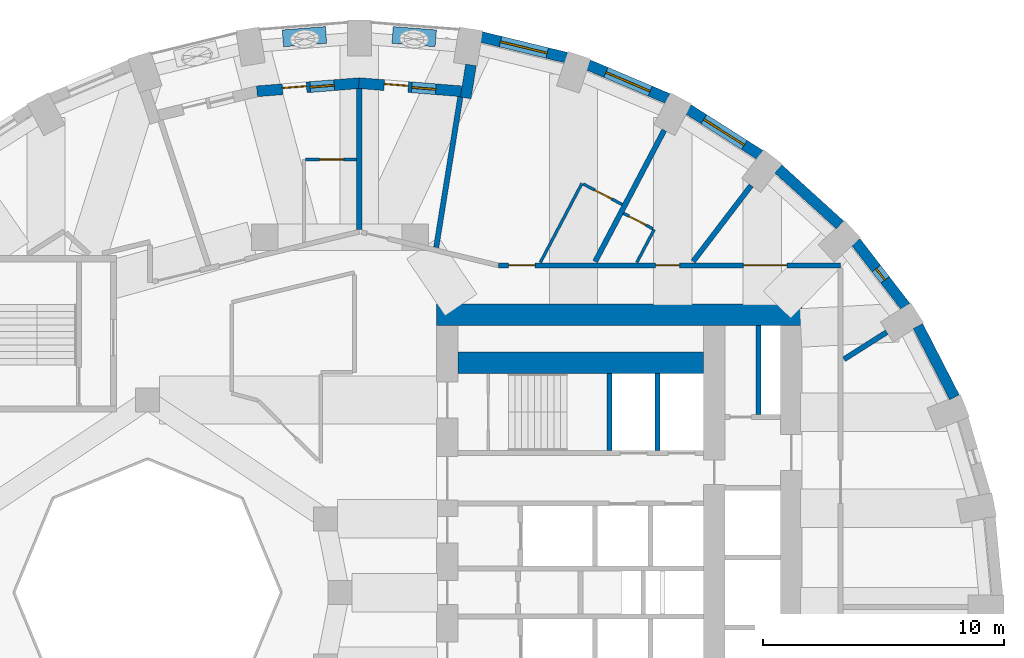
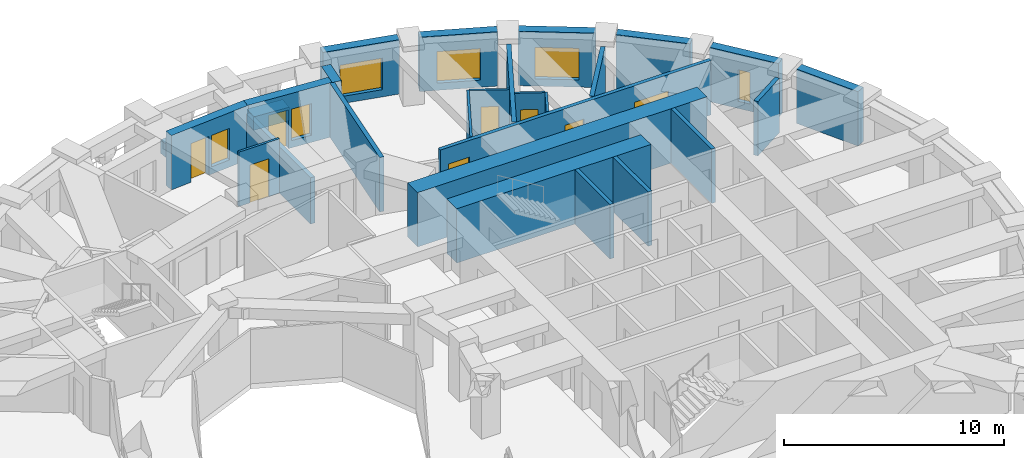
# One storey, part 8 of 12: 27 walls, 8 doors, 6 windows, 14 openings.
"""IFC4 building model written with IfcOpenShell, lengths in metres."""

from ifc_helpers import new_model, si_unit, direction, frame, frame_2d, origin, place, context, subcontext, project, spatial, rectangle, extrude, material, layer, layer_set, constituent, constituent_set, type_object, element, fill, save


model = new_model("IFC4")

# Units and contexts
model_context = context("Model", 3, precision=1e-05, world=origin(), true_north=direction((0.0, 1.0)))
body_context = subcontext(model_context, "Body", "Model", "MODEL_VIEW")
ifc_project = project(units=[si_unit("LENGTHUNIT", "METRE"), si_unit("AREAUNIT", "SQUARE_METRE"), si_unit("VOLUMEUNIT", "CUBIC_METRE"), si_unit("PLANEANGLEUNIT", "RADIAN"), si_unit("MASSUNIT", "GRAM", prefix="KILO")], contexts=[model_context])

# Site, building, storey
site_placement = place(None, origin())
site = spatial("IfcSite", under=ifc_project, at=site_placement, CompositionType="ELEMENT")
building_placement = place(site_placement, origin())
building = spatial("IfcBuilding", under=site, at=building_placement, Name="Taillehof Tower", CompositionType="ELEMENT")
storey_placement = place(building_placement, frame((0.0, 0.0, 88.89990234375)))
storey = spatial("IfcBuildingStorey", under=building, at=storey_placement, Name="L24", CompositionType="ELEMENT", Elevation=88.89990234375)

# Wall
ifc_material_1 = material(Name="Brick masonry", Category="masonry")
ifc_layer_1 = layer(ifc_material_1, 0.449951171875)
ifc_layer_set_1 = layer_set([ifc_layer_1], Name="Brick infill wall 450")
wall_type_1 = type_object("IfcWallType", Name="Brick infill wall 450", PredefinedType="SOLIDWALL", material=ifc_layer_set_1)
wall_1_placement = place(storey_placement, frame((25.545166015625, 8.1123046875, 0.0), z_axis=(0.0, 0.0, 1.0), x_axis=(-0.456828186229, 0.889554949549, 0.0)))
element("IfcWall", 1, at=wall_1_placement, inside=storey, type_object=wall_type_1, Name="Brick wall L24 bay 3", PredefinedType="SOLIDWALL", context=body_context, shape_type="SweptSolid", body=[
    extrude(rectangle(XDim=3.332763671875, YDim=0.449951171875, at=frame_2d((1.66650390625, 0.0))), origin(), (0.0, 0.0, 1.0), 3.02001953125),
])

# Wall, opening, window
wall_2_placement = place(storey_placement, frame((23.508056640625, 11.887451171875, 0.0), z_axis=(0.0, 0.0, 1.0), x_axis=(-0.610693945156, 0.791866721961, 0.0)))
wall_2 = element("IfcWall", 2, at=wall_2_placement, inside=storey, type_object=wall_type_1, Name="Brick wall L24 bay 4", PredefinedType="SOLIDWALL", context=body_context, shape_type="SweptSolid", body=[
    extrude(rectangle(XDim=3.39453125, YDim=0.449951171875, at=frame_2d((1.697265625, 0.0))), origin(), (0.0, 0.0, 1.0), 3.02001953125),
])
opening_1_placement = place(wall_2_placement, frame((1.397216796875, 0.0, 0.39990234375)))
opening_1 = element("IfcOpeningElement", 3, at=opening_1_placement, cuts=wall_2, Name="Opening W6", PredefinedType="OPENING", context=body_context, shape_type="SweptSolid", body=[
    extrude(rectangle(XDim=0.60009765625, YDim=1.75, at=frame_2d((0.300048828125, 0.875))), frame((0.0, 0.23486328125, 0.0), z_axis=(0.0, -1.0, 0.0), x_axis=(1.0, 0.0, 0.0)), (0.0, 0.0, 1.0), 0.469970703125),
])
ifc_material_2 = material(Name="Aluminium window frame with clear double glazing", Category="aluminium")
window_type_1 = type_object("IfcWindowType", Name="Slot window 600x1750", PartitioningType="SINGLE_PANEL", PredefinedType="WINDOW", material=ifc_material_2)
window_1_placement = place(opening_1_placement, origin())
window_1 = element("IfcWindow", 4, at=window_1_placement, inside=storey, type_object=window_type_1, Name="W6", OverallHeight=1.75, OverallWidth=0.60009765625, PartitioningType="SINGLE_PANEL", PredefinedType="WINDOW", context=body_context, shape_type="SweptSolid", body=[
    extrude(rectangle(XDim=0.60009765625, YDim=1.75, at=frame_2d((0.300048828125, 0.875))), frame((0.0, 0.034912109375, 0.0), z_axis=(0.0, -1.0, 0.0), x_axis=(1.0, 0.0, 0.0)), (0.0, 0.0, 1.0), 0.06005859375),
])
fill(opening_1, window_1)

# Wall
wall_3_placement = place(storey_placement, frame((20.783935546875, 15.281005859375, 0.0), z_axis=(0.0, 0.0, 1.0), x_axis=(-0.74032902847, 0.672244694739, 0.0)))
element("IfcWall", 5, at=wall_3_placement, inside=storey, type_object=wall_type_1, Name="Brick wall L24 bay 5", PredefinedType="SOLIDWALL", context=body_context, shape_type="SweptSolid", body=[
    extrude(rectangle(XDim=3.4638671875, YDim=0.449951171875, at=frame_2d((1.73193359375, 0.0))), origin(), (0.0, 0.0, 1.0), 3.02001953125),
])

# Wall, opening, window
wall_4_placement = place(storey_placement, frame((17.456298828125, 18.19189453125, 0.0), z_axis=(0.0, 0.0, 1.0), x_axis=(-0.843880549131, 0.536531097699, 0.0)))
wall_4 = element("IfcWall", 6, at=wall_4_placement, inside=storey, type_object=wall_type_1, Name="Brick wall L24 bay 6", PredefinedType="SOLIDWALL", context=body_context, shape_type="SweptSolid", body=[
    extrude(rectangle(XDim=3.532470703125, YDim=0.449951171875, at=frame_2d((1.76611328125, 0.0))), origin(), (0.0, 0.0, 1.0), 3.02001953125),
])
opening_2_placement = place(wall_4_placement, frame((0.76611328125, 0.0, 0.39990234375)))
opening_2 = element("IfcOpeningElement", 7, at=opening_2_placement, cuts=wall_4, Name="Opening W2", PredefinedType="OPENING", context=body_context, shape_type="SweptSolid", body=[
    extrude(rectangle(XDim=2.0, YDim=1.75, at=frame_2d((1.0, 0.875))), frame((0.0, 0.23486328125, 0.0), z_axis=(0.0, -1.0, 0.0), x_axis=(1.0, 0.0, 0.0)), (0.0, 0.0, 1.0), 0.469970703125),
])
ifc_material_3 = material(Name="Aluminium window frame with clear double glazing", Category="aluminium")
window_type_2 = type_object("IfcWindowType", Name="Deep-set window 2000x1750", PartitioningType="SINGLE_PANEL", PredefinedType="WINDOW", material=ifc_material_3)
window_2_placement = place(opening_2_placement, origin())
window_2 = element("IfcWindow", 8, at=window_2_placement, inside=storey, type_object=window_type_2, Name="W2", OverallHeight=1.75, OverallWidth=2.0, PartitioningType="SINGLE_PANEL", PredefinedType="WINDOW", context=body_context, shape_type="SweptSolid", body=[
    extrude(rectangle(XDim=2.0, YDim=1.75, at=frame_2d((1.0, 0.875))), frame((0.0, 0.034912109375, 0.0), z_axis=(0.0, -1.0, 0.0), x_axis=(1.0, 0.0, 0.0)), (0.0, 0.0, 1.0), 0.06005859375),
])
fill(opening_2, window_2)

wall_5_placement = place(storey_placement, frame((13.625244140625, 20.533447265625, 0.0), z_axis=(0.0, 0.0, 1.0), x_axis=(-0.920869643542, 0.389870619055, 0.0)))
wall_5 = element("IfcWall", 9, at=wall_5_placement, inside=storey, type_object=wall_type_1, Name="Brick wall L24 bay 7", PredefinedType="SOLIDWALL", context=body_context, shape_type="SweptSolid", body=[
    extrude(rectangle(XDim=3.59130859375, YDim=0.449951171875, at=frame_2d((1.795654296875, 0.0))), origin(), (0.0, 0.0, 1.0), 3.02001953125),
])
opening_3_placement = place(wall_5_placement, frame((0.795654296875, 0.0, 0.39990234375)))
opening_3 = element("IfcOpeningElement", 10, at=opening_3_placement, cuts=wall_5, Name="Opening W2", PredefinedType="OPENING", context=body_context, shape_type="SweptSolid", body=[
    extrude(rectangle(XDim=2.0, YDim=1.75, at=frame_2d((1.0, 0.875))), frame((0.0, 0.23486328125, 0.0), z_axis=(0.0, -1.0, 0.0), x_axis=(1.0, 0.0, 0.0)), (0.0, 0.0, 1.0), 0.469970703125),
])
window_3_placement = place(opening_3_placement, origin())
window_3 = element("IfcWindow", 11, at=window_3_placement, inside=storey, type_object=window_type_2, Name="W2", OverallHeight=1.75, OverallWidth=2.0, PartitioningType="SINGLE_PANEL", PredefinedType="WINDOW", context=body_context, shape_type="SweptSolid", body=[
    extrude(rectangle(XDim=2.0, YDim=1.75, at=frame_2d((1.0, 0.875))), frame((0.0, 0.034912109375, 0.0), z_axis=(0.0, -1.0, 0.0), x_axis=(1.0, 0.0, 0.0)), (0.0, 0.0, 1.0), 0.06005859375),
])
fill(opening_3, window_3)

wall_6_placement = place(storey_placement, frame((9.406494140625, 22.2353515625, 0.0), z_axis=(0.0, 0.0, 1.0), x_axis=(-0.971667603162, 0.236351579148, 0.0)))
wall_6 = element("IfcWall", 12, at=wall_6_placement, inside=storey, type_object=wall_type_1, Name="Brick wall L24 bay 8", PredefinedType="SOLIDWALL", context=body_context, shape_type="SweptSolid", body=[
    extrude(rectangle(XDim=3.635009765625, YDim=0.449951171875, at=frame_2d((1.8173828125, 0.0))), origin(), (0.0, 0.0, 1.0), 3.02001953125),
])
opening_4_placement = place(wall_6_placement, frame((0.8173828125, 0.0, 0.39990234375)))
opening_4 = element("IfcOpeningElement", 13, at=opening_4_placement, cuts=wall_6, Name="Opening W2", PredefinedType="OPENING", context=body_context, shape_type="SweptSolid", body=[
    extrude(rectangle(XDim=2.0, YDim=1.75, at=frame_2d((1.0, 0.875))), frame((0.0, 0.23486328125, 0.0), z_axis=(0.0, -1.0, 0.0), x_axis=(1.0, 0.0, 0.0)), (0.0, 0.0, 1.0), 0.469970703125),
])
window_4_placement = place(opening_4_placement, origin())
window_4 = element("IfcWindow", 14, at=window_4_placement, inside=storey, type_object=window_type_2, Name="W2", OverallHeight=1.75, OverallWidth=2.0, PartitioningType="SINGLE_PANEL", PredefinedType="WINDOW", context=body_context, shape_type="SweptSolid", body=[
    extrude(rectangle(XDim=2.0, YDim=1.75, at=frame_2d((1.0, 0.875))), frame((0.0, 0.034912109375, 0.0), z_axis=(0.0, -1.0, 0.0), x_axis=(1.0, 0.0, 0.0)), (0.0, 0.0, 1.0), 0.06005859375),
])
fill(opening_4, window_4)

# Wall
wall_7_placement = place(storey_placement, frame((5.44140625, 21.932373046875, 0.0), z_axis=(0.0, 0.0, 1.0), x_axis=(-0.158586380547, -0.987345106792, 0.0)))
element("IfcWall", 15, at=wall_7_placement, inside=storey, type_object=wall_type_1, Name="Brick reveal L24 pocket 2", PredefinedType="SOLIDWALL", context=body_context, shape_type="SweptSolid", body=[
    extrude(rectangle(XDim=1.39013671875, YDim=0.449951171875, at=frame_2d((0.695068359375, 0.0))), origin(), (0.0, 0.0, 1.0), 3.02001953125),
])

# Wall, openings, door, window
wall_8_placement = place(storey_placement, frame((5.03759765625, 20.836669921875, 0.0), z_axis=(0.0, 0.0, 1.0), x_axis=(-0.996839780714, 0.079438350855, 0.0)))
wall_8 = element("IfcWall", 16, at=wall_8_placement, inside=storey, type_object=wall_type_1, Name="Brick wall L24 pocket bay 9", PredefinedType="SOLIDWALL", context=body_context, shape_type="SweptSolid", body=[
    extrude(rectangle(XDim=4.268798828125, YDim=0.449951171875, at=frame_2d((2.13427734375, 0.0))), origin(), (0.0, 0.0, 1.0), 3.02001953125),
])
opening_5_placement = place(wall_8_placement, frame((1.0595703125, 0.0, 0.39990234375)))
opening_5 = element("IfcOpeningElement", 17, at=opening_5_placement, cuts=wall_8, Name="Opening W5", PredefinedType="OPENING", context=body_context, shape_type="SweptSolid", body=[
    extrude(rectangle(XDim=1.0, YDim=1.75, at=frame_2d((0.5, 0.875))), frame((0.0, 0.23486328125, 0.0), z_axis=(0.0, -1.0, 0.0), x_axis=(1.0, 0.0, 0.0)), (0.0, 0.0, 1.0), 0.469970703125),
])
opening_6_placement = place(wall_8_placement, frame((2.20947265625, 0.0, 0.0)))
opening_6 = element("IfcOpeningElement", 18, at=opening_6_placement, cuts=wall_8, Name="Opening D2494", PredefinedType="OPENING", context=body_context, shape_type="SweptSolid", body=[
    extrude(rectangle(XDim=1.0, YDim=2.14990234375, at=frame_2d((0.5, 1.074951171875))), frame((0.0, 0.23486328125, 0.0), z_axis=(0.0, -1.0, 0.0), x_axis=(1.0, 0.0, 0.0)), (0.0, 0.0, 1.0), 0.469970703125),
])
ifc_material_4 = material(Name="Aluminium door frame with clear double glazing", Category="aluminium")
door_type_1 = type_object("IfcDoorType", Name="Balcony door 1000x2150", OperationType="SINGLE_SWING_RIGHT", PredefinedType="DOOR", material=ifc_material_4)
door_1_placement = place(opening_6_placement, frame((1.0, 0.0, 0.0), z_axis=(0.0, 0.0, 1.0), x_axis=(-1.0, 0.0, 0.0)))
door_1 = element("IfcDoor", 19, at=door_1_placement, inside=storey, type_object=door_type_1, Name="Balcony door L24 bay 9", OperationType="SINGLE_SWING_RIGHT", OverallHeight=2.14990234375, OverallWidth=1.0, PredefinedType="DOOR", context=body_context, shape_type="SweptSolid", body=[
    extrude(rectangle(XDim=1.0, YDim=2.14990234375, at=frame_2d((0.5, 1.074951171875))), frame((0.0, 0.0751953125, 0.0), z_axis=(0.0, -1.0, 0.0), x_axis=(1.0, 0.0, 0.0)), (0.0, 0.0, 1.0), 0.050048828125),
])
fill(opening_6, door_1)
ifc_material_5 = material(Name="Aluminium window frame with clear double glazing", Category="aluminium")
window_type_3 = type_object("IfcWindowType", Name="Fixed window 1000x1750", PartitioningType="SINGLE_PANEL", PredefinedType="WINDOW", material=ifc_material_5)
window_5_placement = place(opening_5_placement, origin())
window_5 = element("IfcWindow", 20, at=window_5_placement, inside=storey, type_object=window_type_3, Name="W5", OverallHeight=1.75, OverallWidth=1.0, PartitioningType="SINGLE_PANEL", PredefinedType="WINDOW", context=body_context, shape_type="SweptSolid", body=[
    extrude(rectangle(XDim=1.0, YDim=1.75, at=frame_2d((0.5, 0.875))), frame((0.0, 0.034912109375, 0.0), z_axis=(0.0, -1.0, 0.0), x_axis=(1.0, 0.0, 0.0)), (0.0, 0.0, 1.0), 0.06005859375),
])
fill(opening_5, window_5)

wall_9_placement = place(storey_placement, frame((0.81787109375, 21.17578125, 0.0), z_axis=(0.0, 0.0, 1.0), x_axis=(-0.996843824935, -0.079387585235, 0.0)))
wall_9 = element("IfcWall", 21, at=wall_9_placement, inside=storey, type_object=wall_type_1, Name="Brick wall L24 pocket bay 10", PredefinedType="SOLIDWALL", context=body_context, shape_type="SweptSolid", body=[
    extrude(rectangle(XDim=4.286865234375, YDim=0.449951171875, at=frame_2d((2.1435546875, 0.0))), origin(), (0.0, 0.0, 1.0), 3.02001953125),
])
opening_7_placement = place(wall_9_placement, frame((1.068359375, 0.0, 0.39990234375)))
opening_7 = element("IfcOpeningElement", 22, at=opening_7_placement, cuts=wall_9, Name="Opening W5", PredefinedType="OPENING", context=body_context, shape_type="SweptSolid", body=[
    extrude(rectangle(XDim=1.0, YDim=1.75, at=frame_2d((0.5, 0.875))), frame((0.0, 0.23486328125, 0.0), z_axis=(0.0, -1.0, 0.0), x_axis=(1.0, 0.0, 0.0)), (0.0, 0.0, 1.0), 0.469970703125),
])
opening_8_placement = place(wall_9_placement, frame((2.218505859375, 0.0, 0.0)))
opening_8 = element("IfcOpeningElement", 23, at=opening_8_placement, cuts=wall_9, Name="Opening D2495", PredefinedType="OPENING", context=body_context, shape_type="SweptSolid", body=[
    extrude(rectangle(XDim=1.0, YDim=2.14990234375, at=frame_2d((0.5, 1.074951171875))), frame((0.0, 0.23486328125, 0.0), z_axis=(0.0, -1.0, 0.0), x_axis=(1.0, 0.0, 0.0)), (0.0, 0.0, 1.0), 0.469970703125),
])
door_2_placement = place(opening_8_placement, frame((1.0, 0.0, 0.0), z_axis=(0.0, 0.0, 1.0), x_axis=(-1.0, 0.0, 0.0)))
door_2 = element("IfcDoor", 24, at=door_2_placement, inside=storey, type_object=door_type_1, Name="Balcony door L24 bay 10", OperationType="SINGLE_SWING_LEFT", OverallHeight=2.14990234375, OverallWidth=1.0, PredefinedType="DOOR", context=body_context, shape_type="SweptSolid", body=[
    extrude(rectangle(XDim=1.0, YDim=2.14990234375, at=frame_2d((0.5, 1.074951171875))), frame((0.0, 0.0751953125, 0.0), z_axis=(0.0, -1.0, 0.0), x_axis=(1.0, 0.0, 0.0)), (0.0, 0.0, 1.0), 0.050048828125),
])
fill(opening_8, door_2)
window_6_placement = place(opening_7_placement, origin())
window_6 = element("IfcWindow", 25, at=window_6_placement, inside=storey, type_object=window_type_3, Name="W5", OverallHeight=1.75, OverallWidth=1.0, PartitioningType="SINGLE_PANEL", PredefinedType="WINDOW", context=body_context, shape_type="SweptSolid", body=[
    extrude(rectangle(XDim=1.0, YDim=1.75, at=frame_2d((0.5, 0.875))), frame((0.0, 0.034912109375, 0.0), z_axis=(0.0, -1.0, 0.0), x_axis=(1.0, 0.0, 0.0)), (0.0, 0.0, 1.0), 0.06005859375),
])
fill(opening_7, window_6)

# Wall
ifc_material_6 = material(Name="Calcium silicate masonry", Category="masonry")
ifc_layer_2 = layer(ifc_material_6, 0.199951171875)
ifc_layer_set_2 = layer_set([ifc_layer_2], Name="Compartment wall calcium silicate 200")
wall_type_2 = type_object("IfcWallType", Name="Compartment wall calcium silicate 200", PredefinedType="PARTITIONING", material=ifc_layer_set_2)
wall_10_placement = place(storey_placement, frame((17.39990234375, 7.39990234375, 0.0), z_axis=(0.0, 0.0, 1.0), x_axis=(0.0, 1.0, 0.0)))
element("IfcWall", 26, at=wall_10_placement, inside=storey, type_object=wall_type_2, Name="Compartment wall FW", PredefinedType="PARTITIONING", context=body_context, shape_type="SweptSolid", body=[
    extrude(rectangle(XDim=3.7001953125, YDim=0.199951171875, at=frame_2d((1.85009765625, 0.0))), origin(), (0.0, 0.0, 1.0), 3.02001953125),
])

# Wall, openings, doors
ifc_material_7 = material(Name="Gypsum board on steel studs, two layers each side", Category="steel")
ifc_layer_3 = layer(ifc_material_7, 0.199951171875)
ifc_layer_set_3 = layer_set([ifc_layer_3], Name="Compartment wall corridor 200")
wall_type_3 = type_object("IfcWallType", Name="Compartment wall corridor 200", PredefinedType="PARTITIONING", material=ifc_layer_set_3)
wall_11_placement = place(storey_placement, frame((6.588623046875, 13.60009765625, 0.0), z_axis=(0.0, 0.0, 1.0), x_axis=(1.0, 0.0, 0.0)))
wall_11 = element("IfcWall", 27, at=wall_11_placement, inside=storey, type_object=wall_type_3, Name="Compartment wall", PredefinedType="PARTITIONING", context=body_context, shape_type="SweptSolid", body=[
    extrude(rectangle(XDim=14.21142578125, YDim=0.199951171875, at=frame_2d((7.105712890625, 0.0))), origin(), (0.0, 0.0, 1.0), 3.02001953125),
])
opening_9_placement = place(wall_11_placement, frame((6.526611328125, 0.0, 0.0)))
opening_9 = element("IfcOpeningElement", 28, at=opening_9_placement, cuts=wall_11, Name="Opening D2440", PredefinedType="OPENING", context=body_context, shape_type="SweptSolid", body=[
    extrude(rectangle(XDim=1.0, YDim=2.10009765625, at=frame_2d((0.5, 1.050048828125))), frame((0.0, 0.10986328125, 0.0), z_axis=(0.0, -1.0, 0.0), x_axis=(1.0, 0.0, 0.0)), (0.0, 0.0, 1.0), 0.219970703125),
])
opening_10_placement = place(wall_11_placement, frame((0.4228515625, 0.0, 0.0)))
opening_10 = element("IfcOpeningElement", 29, at=opening_10_placement, cuts=wall_11, Name="Opening D2442", PredefinedType="OPENING", context=body_context, shape_type="SweptSolid", body=[
    extrude(rectangle(XDim=1.10009765625, YDim=2.10009765625, at=frame_2d((0.550048828125, 1.050048828125))), frame((0.0, 0.10986328125, 0.0), z_axis=(0.0, -1.0, 0.0), x_axis=(1.0, 0.0, 0.0)), (0.0, 0.0, 1.0), 0.219970703125),
])
opening_11_placement = place(wall_11_placement, frame((10.18115234375, 0.0, 0.0)))
opening_11 = element("IfcOpeningElement", 30, at=opening_11_placement, cuts=wall_11, Name="Opening D2464", PredefinedType="OPENING", context=body_context, shape_type="SweptSolid", body=[
    extrude(rectangle(XDim=1.800048828125, YDim=2.10009765625, at=frame_2d((0.89990234375, 1.050048828125))), frame((0.0, 0.10986328125, 0.0), z_axis=(0.0, -1.0, 0.0), x_axis=(1.0, 0.0, 0.0)), (0.0, 0.0, 1.0), 0.219970703125),
])
ifc_material_8 = material(Name="Timber door leaf in steel frame", Category="steel")
door_type_2 = type_object("IfcDoorType", Name="Guest room door EI 30 1000 x 2100", OperationType="SINGLE_SWING_LEFT", PredefinedType="DOOR", material=ifc_material_8)
door_3_placement = place(opening_9_placement, origin())
door_3 = element("IfcDoor", 31, at=door_3_placement, inside=storey, type_object=door_type_2, Name="D2440", OperationType="SINGLE_SWING_RIGHT", OverallHeight=2.10009765625, OverallWidth=1.0, PredefinedType="DOOR", context=body_context, shape_type="SweptSolid", body=[
    extrude(rectangle(XDim=1.0, YDim=2.10009765625, at=frame_2d((0.5, 1.050048828125))), frame((0.0, 0.02490234375, 0.0), z_axis=(0.0, -1.0, 0.0), x_axis=(1.0, 0.0, 0.0)), (0.0, 0.0, 1.0), 0.050048828125),
])
fill(opening_9, door_3)
ifc_material_9 = material(Name="Timber door leaf in steel frame", Category="steel")
door_type_3 = type_object("IfcDoorType", Name="Lounge and meeting room double door EI 30 1800 x 2100", OperationType="SINGLE_SWING_LEFT", PredefinedType="DOOR", material=ifc_material_9)
door_4_placement = place(opening_11_placement, origin())
door_4 = element("IfcDoor", 32, at=door_4_placement, inside=storey, type_object=door_type_3, Name="D2464", OperationType="DOUBLE_DOOR_SINGLE_SWING", OverallHeight=2.10009765625, OverallWidth=1.800048828125, PredefinedType="DOOR", context=body_context, shape_type="SweptSolid", body=[
    extrude(rectangle(XDim=1.800048828125, YDim=2.10009765625, at=frame_2d((0.89990234375, 1.050048828125))), frame((0.0, 0.02490234375, 0.0), z_axis=(0.0, -1.0, 0.0), x_axis=(1.0, 0.0, 0.0)), (0.0, 0.0, 1.0), 0.050048828125),
])
fill(opening_11, door_4)
ifc_material_10 = material(Name="Timber door leaf in steel frame", Category="steel")
door_type_4 = type_object("IfcDoorType", Name="Suite entrance door EI 30 1100 x 2100", OperationType="SINGLE_SWING_LEFT", PredefinedType="DOOR", material=ifc_material_10)
door_5_placement = place(opening_10_placement, origin())
door_5 = element("IfcDoor", 33, at=door_5_placement, inside=storey, type_object=door_type_4, Name="D2442", OperationType="SINGLE_SWING_RIGHT", OverallHeight=2.10009765625, OverallWidth=1.10009765625, PredefinedType="DOOR", context=body_context, shape_type="SweptSolid", body=[
    extrude(rectangle(XDim=1.10009765625, YDim=2.10009765625, at=frame_2d((0.550048828125, 1.050048828125))), frame((0.0, 0.02490234375, 0.0), z_axis=(0.0, -1.0, 0.0), x_axis=(1.0, 0.0, 0.0)), (0.0, 0.0, 1.0), 0.050048828125),
])
fill(opening_10, door_5)

# Walls
ifc_material_11 = material(Name="Gypsum board on double steel studs with mineral wool", Category="steel")
ifc_layer_4 = layer(ifc_material_11, 0.219970703125)
ifc_layer_set_4 = layer_set([ifc_layer_4], Name="Compartment wall guest room 220")
wall_type_4 = type_object("IfcWallType", Name="Compartment wall guest room 220", PredefinedType="PARTITIONING", material=ifc_layer_set_4)
wall_12_placement = place(storey_placement, frame((22.7265625, 10.8232421875, 0.0), z_axis=(0.0, 0.0, 1.0), x_axis=(-0.844549560094, -0.53547739499, 0.0)))
element("IfcWall", 34, at=wall_12_placement, inside=storey, type_object=wall_type_4, Name="Compartment wall", PredefinedType="PARTITIONING", context=body_context, shape_type="SweptSolid", body=[
    extrude(rectangle(XDim=2.102783203125, YDim=0.219970703125, at=frame_2d((1.05126953125, 0.0))), origin(), (0.0, 0.0, 1.0), 3.02001953125),
])
wall_13_placement = place(storey_placement, frame((17.08935546875, 16.9208984375, 0.0), z_axis=(0.0, 0.0, 1.0), x_axis=(-0.607055443677, -0.794659479464, 0.0)))
element("IfcWall", 35, at=wall_13_placement, inside=storey, type_object=wall_type_4, Name="Compartment wall", PredefinedType="PARTITIONING", context=body_context, shape_type="SweptSolid", body=[
    extrude(rectangle(XDim=3.97314453125, YDim=0.219970703125, at=frame_2d((1.986572265625, 0.0))), origin(), (0.0, 0.0, 1.0), 3.02001953125),
])
wall_14_placement = place(storey_placement, frame((13.47607421875, 19.217529296875, 0.0), z_axis=(0.0, 0.0, 1.0), x_axis=(-0.465345394262, -0.885129179295, 0.0)))
element("IfcWall", 36, at=wall_14_placement, inside=storey, type_object=wall_type_4, Name="Compartment wall", PredefinedType="PARTITIONING", context=body_context, shape_type="SweptSolid", body=[
    extrude(rectangle(XDim=6.1728515625, YDim=0.219970703125, at=frame_2d((3.08642578125, 0.0))), origin(), (0.0, 0.0, 1.0), 3.02001953125),
])
wall_15_placement = place(storey_placement, frame((5.001708984375, 20.614013671875, 0.0), z_axis=(0.0, 0.0, 1.0), x_axis=(-0.158494605855, -0.987359843175, 0.0)))
element("IfcWall", 37, at=wall_15_placement, inside=storey, type_object=wall_type_4, Name="Compartment wall", PredefinedType="PARTITIONING", context=body_context, shape_type="SweptSolid", body=[
    extrude(rectangle(XDim=6.346435546875, YDim=0.219970703125, at=frame_2d((3.17333984375, 0.0))), origin(), (0.0, 0.0, 1.0), 3.02001953125),
])
wall_16_placement = place(storey_placement, frame((0.800048828125, 20.948486328125, 0.0), z_axis=(0.0, 0.0, 1.0), x_axis=(0.0, -1.0, 0.0)))
element("IfcWall", 38, at=wall_16_placement, inside=storey, type_object=wall_type_4, Name="Compartment wall", PredefinedType="PARTITIONING", context=body_context, shape_type="SweptSolid", body=[
    extrude(rectangle(XDim=5.848388671875, YDim=0.219970703125, at=frame_2d((2.92431640625, 0.0))), origin(), (0.0, 0.0, 1.0), 2.570068359375),
])
ifc_material_12 = material(Name="Concrete C80/95", Category="concrete")
ifc_layer_5 = layer(ifc_material_12, 0.89990234375)
ifc_layer_set_5 = layer_set([ifc_layer_5], Name="Core wall C80/95 900")
wall_type_5 = type_object("IfcWallType", Name="Core wall C80/95 900", PredefinedType="SHEAR", material=ifc_layer_set_5)
wall_17_placement = place(storey_placement, frame((4.0, 11.550048828125, 0.0), z_axis=(0.0, 0.0, 1.0), x_axis=(1.0, 0.0, 0.0)))
element("IfcWall", 39, at=wall_17_placement, inside=storey, type_object=wall_type_5, Name="Core wall CW03", PredefinedType="SHEAR", context=body_context, shape_type="SweptSolid", body=[
    extrude(rectangle(XDim=15.199951171875, YDim=0.89990234375, at=frame_2d((7.60009765625, 0.0))), origin(), (0.0, 0.0, 1.0), 3.02001953125),
])
wall_18_placement = place(storey_placement, frame((4.89990234375, 9.550048828125, 0.0), z_axis=(0.0, 0.0, 1.0), x_axis=(1.0, 0.0, 0.0)))
element("IfcWall", 40, at=wall_18_placement, inside=storey, type_object=wall_type_5, Name="Core wall CW06", PredefinedType="SHEAR", context=body_context, shape_type="SweptSolid", body=[
    extrude(rectangle(XDim=10.2001953125, YDim=0.89990234375, at=frame_2d((5.10009765625, 0.0))), origin(), (0.0, 0.0, 1.0), 3.02001953125),
])
ifc_material_13 = material(Name="Gypsum board on steel studs, moisture resistant", Category="steel")
ifc_layer_6 = layer(ifc_material_13, 0.1201171875)
ifc_layer_set_6 = layer_set([ifc_layer_6], Name="En-suite wall 120")
wall_type_6 = type_object("IfcWallType", Name="En-suite wall 120", PredefinedType="PARTITIONING", material=ifc_layer_set_6)
wall_19_placement = place(storey_placement, frame((12.3359375, 13.718017578125, 0.0), z_axis=(0.0, 0.0, 1.0), x_axis=(0.465428746876, 0.88508535271, 0.0)))
element("IfcWall", 41, at=wall_19_placement, inside=storey, type_object=wall_type_6, Name="En-suite wall", PredefinedType="PARTITIONING", context=body_context, shape_type="SweptSolid", body=[
    extrude(rectangle(XDim=1.55224609375, YDim=0.1201171875, at=frame_2d((0.776123046875, 0.0))), origin(), (0.0, 0.0, 1.0), 3.02001953125),
])
wall_20_placement = place(storey_placement, frame((8.325439453125, 13.718017578125, 0.0), z_axis=(0.0, 0.0, 1.0), x_axis=(0.465348566369, 0.885127511593, 0.0)))
element("IfcWall", 42, at=wall_20_placement, inside=storey, type_object=wall_type_6, Name="En-suite wall", PredefinedType="PARTITIONING", context=body_context, shape_type="SweptSolid", body=[
    extrude(rectangle(XDim=3.718017578125, YDim=0.1201171875, at=frame_2d((1.85888671875, 0.0))), origin(), (0.0, 0.0, 1.0), 3.02001953125),
])

# Wall, opening, door
wall_21_placement = place(storey_placement, frame((13.005126953125, 15.11962890625, 0.0), z_axis=(0.0, 0.0, 1.0), x_axis=(-0.885148383454, 0.465308864378, 0.0)))
wall_21 = element("IfcWall", 43, at=wall_21_placement, inside=storey, type_object=wall_type_6, Name="En-suite wall", PredefinedType="PARTITIONING", context=body_context, shape_type="SweptSolid", body=[
    extrude(rectangle(XDim=1.3798828125, YDim=0.1201171875, at=frame_2d((0.68994140625, 0.0))), origin(), (0.0, 0.0, 1.0), 3.02001953125),
])
opening_12_placement = place(wall_21_placement, frame((0.31494140625, 0.0, 0.0)))
opening_12 = element("IfcOpeningElement", 44, at=opening_12_placement, cuts=wall_21, Name="Opening D2441", PredefinedType="OPENING", context=body_context, shape_type="SweptSolid", body=[
    extrude(rectangle(XDim=0.800048828125, YDim=2.10009765625, at=frame_2d((0.39990234375, 1.050048828125))), frame((0.0, 0.070068359375, 0.0), z_axis=(0.0, -1.0, 0.0), x_axis=(1.0, 0.0, 0.0)), (0.0, 0.0, 1.0), 0.14013671875),
])
ifc_material_14 = material(Name="Timber door leaf in steel frame", Category="steel")
door_type_5 = type_object("IfcDoorType", Name="En-suite door 800 x 2100", OperationType="SINGLE_SWING_LEFT", PredefinedType="DOOR", material=ifc_material_14)
door_6_placement = place(opening_12_placement, origin())
door_6 = element("IfcDoor", 45, at=door_6_placement, inside=storey, type_object=door_type_5, Name="D2441", OperationType="SINGLE_SWING_LEFT", OverallHeight=2.10009765625, OverallWidth=0.800048828125, PredefinedType="DOOR", context=body_context, shape_type="SweptSolid", body=[
    extrude(rectangle(XDim=0.800048828125, YDim=2.10009765625, at=frame_2d((0.39990234375, 1.050048828125))), frame((0.0, 0.02490234375, 0.0), z_axis=(0.0, -1.0, 0.0), x_axis=(1.0, 0.0, 0.0)), (0.0, 0.0, 1.0), 0.050048828125),
])
fill(opening_12, door_6)

wall_22_placement = place(storey_placement, frame((10.10888671875, 16.981201171875, 0.0), z_axis=(0.0, 0.0, 1.0), x_axis=(0.885114946598, -0.465372465139, 0.0)))
wall_22 = element("IfcWall", 46, at=wall_22_placement, inside=storey, type_object=wall_type_6, Name="En-suite wall", PredefinedType="PARTITIONING", context=body_context, shape_type="SweptSolid", body=[
    extrude(rectangle(XDim=1.829833984375, YDim=0.1201171875, at=frame_2d((0.9150390625, 0.0))), origin(), (0.0, 0.0, 1.0), 3.02001953125),
])
opening_13_placement = place(wall_22_placement, frame((0.539794921875, 0.0, 0.0)))
opening_13 = element("IfcOpeningElement", 47, at=opening_13_placement, cuts=wall_22, Name="Opening D2443", PredefinedType="OPENING", context=body_context, shape_type="SweptSolid", body=[
    extrude(rectangle(XDim=0.800048828125, YDim=2.10009765625, at=frame_2d((0.39990234375, 1.050048828125))), frame((0.0, 0.070068359375, 0.0), z_axis=(0.0, -1.0, 0.0), x_axis=(1.0, 0.0, 0.0)), (0.0, 0.0, 1.0), 0.14013671875),
])
door_7_placement = place(opening_13_placement, origin())
door_7 = element("IfcDoor", 48, at=door_7_placement, inside=storey, type_object=door_type_5, Name="D2443", OperationType="SINGLE_SWING_RIGHT", OverallHeight=2.10009765625, OverallWidth=0.800048828125, PredefinedType="DOOR", context=body_context, shape_type="SweptSolid", body=[
    extrude(rectangle(XDim=0.800048828125, YDim=2.10009765625, at=frame_2d((0.39990234375, 1.050048828125))), frame((0.0, 0.02490234375, 0.0), z_axis=(0.0, -1.0, 0.0), x_axis=(1.0, 0.0, 0.0)), (0.0, 0.0, 1.0), 0.050048828125),
])
fill(opening_13, door_7)

wall_23_placement = place(storey_placement, frame((-1.43994140625, 18.0, 0.0), z_axis=(0.0, 0.0, 1.0), x_axis=(1.0, 0.0, 0.0)))
wall_23 = element("IfcWall", 49, at=wall_23_placement, inside=storey, type_object=wall_type_6, Name="En-suite wall", PredefinedType="PARTITIONING", context=body_context, shape_type="SweptSolid", body=[
    extrude(rectangle(XDim=2.1298828125, YDim=0.1201171875, at=frame_2d((1.06494140625, 0.0))), origin(), (0.0, 0.0, 1.0), 3.02001953125),
])
opening_14_placement = place(wall_23_placement, frame((0.58984375, 0.0, 0.0)))
opening_14 = element("IfcOpeningElement", 50, at=opening_14_placement, cuts=wall_23, Name="Opening D2446", PredefinedType="OPENING", context=body_context, shape_type="SweptSolid", body=[
    extrude(rectangle(XDim=1.0, YDim=2.10009765625, at=frame_2d((0.5, 1.050048828125))), frame((0.0, 0.070068359375, 0.0), z_axis=(0.0, -1.0, 0.0), x_axis=(1.0, 0.0, 0.0)), (0.0, 0.0, 1.0), 0.14013671875),
])
ifc_material_15 = material(Name="Timber door leaf in steel frame", Category="steel")
door_type_6 = type_object("IfcDoorType", Name="Accessible en-suite door 1000 x 2100", OperationType="SINGLE_SWING_LEFT", PredefinedType="DOOR", material=ifc_material_15)
door_8_placement = place(opening_14_placement, origin())
door_8 = element("IfcDoor", 51, at=door_8_placement, inside=storey, type_object=door_type_6, Name="D2446", OperationType="SINGLE_SWING_LEFT", OverallHeight=2.10009765625, OverallWidth=1.0, PredefinedType="DOOR", context=body_context, shape_type="SweptSolid", body=[
    extrude(rectangle(XDim=1.0, YDim=2.10009765625, at=frame_2d((0.5, 1.050048828125))), frame((0.0, 0.02490234375, 0.0), z_axis=(0.0, -1.0, 0.0), x_axis=(1.0, 0.0, 0.0)), (0.0, 0.0, 1.0), 0.050048828125),
])
fill(opening_14, door_8)

# Walls
ifc_material_16 = material(Name="Concrete C30/37 precast", Category="concrete")
ifc_constituent_1 = constituent(ifc_material_16, Name="Structure", Category="concrete")
ifc_material_17 = material(Name="Insulated lining")
ifc_constituent_2 = constituent(ifc_material_17, Name="Lining")
ifc_constituent_set = constituent_set(constituents=[ifc_constituent_1, ifc_constituent_2], Name="Planter trough 700x750")
wall_type_7 = type_object("IfcWallType", Name="Planter trough 700x750", PredefinedType="USERDEFINED", material=ifc_constituent_set)
for number, where, z_axis, x_axis, name in (
    (52, (3.97802734375, 23.035888671875, 0.0), (0.0, 0.0, 1.0), (-0.996858257414, 0.079206152698, 0.0), "Planter L24 bay 9"),
    (53, (-0.58349609375, 23.178466796875, 0.0), (0.0, 0.0, 1.0), (-0.996858257414, -0.079206152698, 0.0), "Planter L24 bay 10"),
):
    element("IfcWall", number, at=place(storey_placement, frame(where, z_axis=z_axis, x_axis=x_axis)), inside=storey, type_object=wall_type_7, Name=name, ObjectType="PLANTER", PredefinedType="USERDEFINED", context=body_context, shape_type="SweptSolid", body=[
        extrude(rectangle(XDim=1.800048828125, YDim=0.699951171875, at=frame_2d((0.89990234375, 0.0))), origin(), (0.0, 0.0, 1.0), 0.75),
    ])
ifc_material_18 = material(Name="Concrete C50/60", Category="concrete")
ifc_layer_7 = layer(ifc_material_18, 0.199951171875)
ifc_layer_set_7 = layer_set([ifc_layer_7], Name="Shaft wall C50/60 200")
wall_type_8 = type_object("IfcWallType", Name="Shaft wall C50/60 200", PredefinedType="SHEAR", material=ifc_layer_set_7)
for number, where, z_axis, x_axis, name in (
    (54, (11.199951171875, 5.89990234375, 0.0), (0.0, 0.0, 1.0), (0.0, 1.0, 0.0), "Shaft wall SW"),
    (55, (13.199951171875, 5.89990234375, 0.0), (0.0, 0.0, 1.0), (0.0, 1.0, 0.0), "Shaft wall SW"),
):
    element("IfcWall", number, at=place(storey_placement, frame(where, z_axis=z_axis, x_axis=x_axis)), inside=storey, type_object=wall_type_8, Name=name, PredefinedType="SHEAR", context=body_context, shape_type="SweptSolid", body=[
        extrude(rectangle(XDim=3.2001953125, YDim=0.199951171875, at=frame_2d((1.60009765625, 0.0))), origin(), (0.0, 0.0, 1.0), 3.02001953125),
    ])

save(model, "model.ifc")
